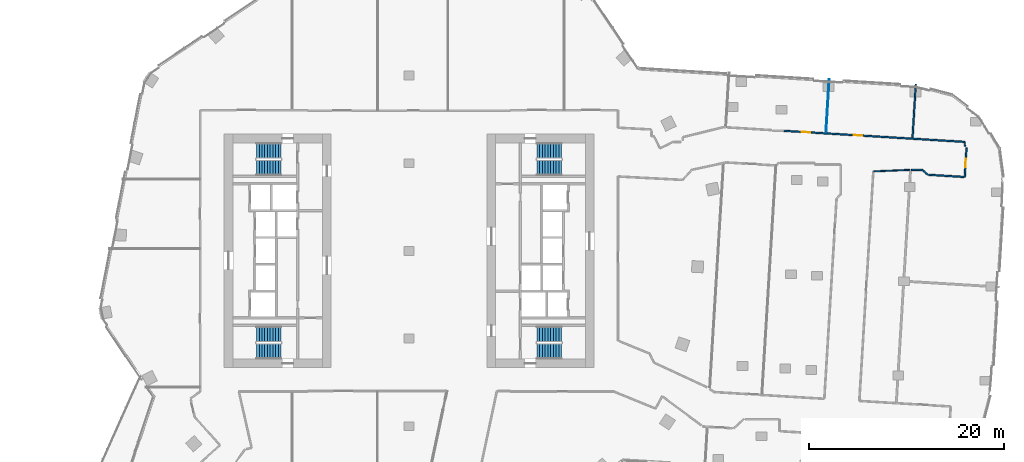
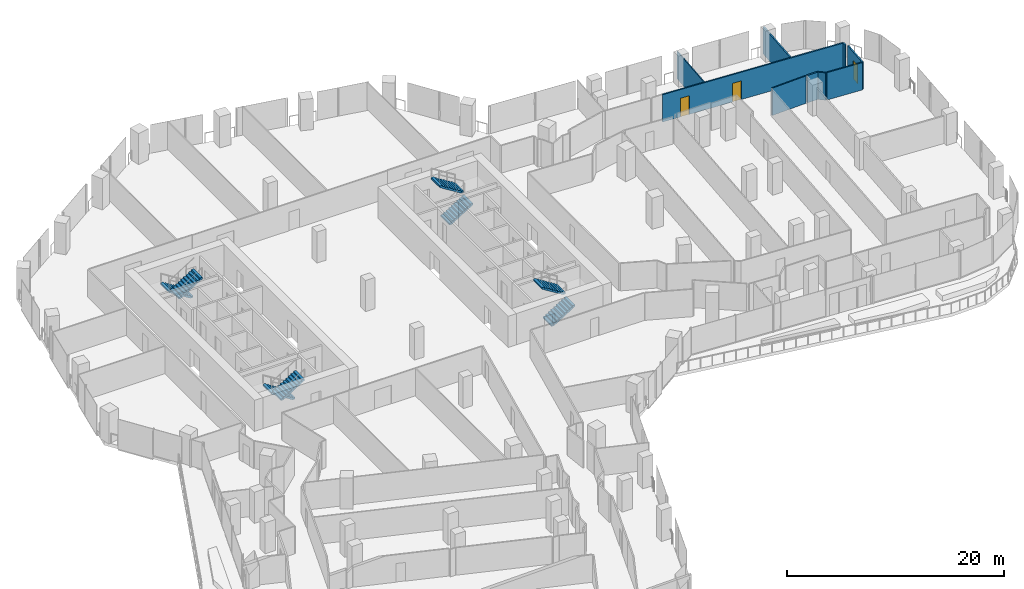
# One storey, part 28 of 34: 9 walls, 8 stair flights, 3 doors, 3 openings, 4 elements without a shape of their own.
"""IFC4 building model written with IfcOpenShell, lengths in metres."""

from ifc_helpers import new_model, si_unit, direction, frame, frame_2d, origin, place, context, subcontext, project, spatial, polyline, rectangle, outline, extrude, material, layer, layer_set, type_object, element, fill, aggregate, save


model = new_model("IFC4")

# Units and contexts
model_context = context("Model", 3, precision=1e-05, world=origin(), true_north=direction((0.0, 1.0)))
body_context = subcontext(model_context, "Body", "Model", "MODEL_VIEW")
ifc_project = project(units=[si_unit("LENGTHUNIT", "METRE"), si_unit("AREAUNIT", "SQUARE_METRE"), si_unit("VOLUMEUNIT", "CUBIC_METRE"), si_unit("PLANEANGLEUNIT", "RADIAN"), si_unit("MASSUNIT", "GRAM", prefix="KILO")], contexts=[model_context])

# Site, building, storey
site_placement = place(None, origin())
site = spatial("IfcSite", under=ifc_project, at=site_placement, CompositionType="ELEMENT")
building_placement = place(site_placement, origin())
building = spatial("IfcBuilding", under=site, at=building_placement, Name="Orlundy Tower", CompositionType="ELEMENT")
storey_placement = place(building_placement, frame((0.0, 0.0, 145.60009765625)))
storey = spatial("IfcBuildingStorey", under=building, at=storey_placement, Name="L37", CompositionType="ELEMENT", Elevation=145.60009765625)

# Walls
ifc_material_1 = material(Name="Gypsum board partition")
ifc_layer_1 = layer(ifc_material_1, 0.10009765625)
ifc_layer_set_1 = layer_set([ifc_layer_1], Name="Floor partition 100")
wall_type_1 = type_object("IfcWallType", Name="Floor partition 100", PredefinedType="PARTITIONING", material=ifc_layer_set_1)
wall_1_placement = place(storey_placement, frame((42.821044921875, 12.139892578125, 0.0), z_axis=(0.0, 0.0, 1.0), x_axis=(0.060877083992, 0.998145270311, 0.0)))
element("IfcWall", 1, at=wall_1_placement, inside=storey, type_object=wall_type_1, Name="wall-int-L37-121", PredefinedType="PARTITIONING", context=body_context, shape_type="SweptSolid", body=[
    extrude(rectangle(XDim=5.518310546875, YDim=0.10009765625, at=frame_2d((2.75927734375, 0.0))), origin(), (0.0, 0.0, 1.0), 3.079833984375),
])
ifc_material_2 = material(Name="Gypsum board partition, double layer")
ifc_layer_2 = layer(ifc_material_2, 0.125)
ifc_layer_set_2 = layer_set([ifc_layer_2], Name="Floor partition 125")
wall_type_2 = type_object("IfcWallType", Name="Floor partition 125", PredefinedType="PARTITIONING", material=ifc_layer_set_2)
wall_2_placement = place(storey_placement, frame((47.74609375, 8.1630859375, 0.0), z_axis=(0.0, 0.0, 1.0), x_axis=(0.999092785442, 0.042586454162, 0.0)))
element("IfcWall", 2, at=wall_2_placement, inside=storey, type_object=wall_type_2, Name="wall-int-L37-078", PredefinedType="PARTITIONING", context=body_context, shape_type="SweptSolid", body=[
    extrude(rectangle(XDim=3.686279296875, YDim=0.125, at=frame_2d((1.84326171875, 0.0))), origin(), (0.0, 0.0, 1.0), 3.079833984375),
])
ifc_material_3 = material(Name="Blockwork shaft wall", Category="masonry")
ifc_layer_3 = layer(ifc_material_3, 0.14990234375)
ifc_layer_set_3 = layer_set([ifc_layer_3], Name="Floor shaft wall 150")
wall_type_3 = type_object("IfcWallType", Name="Floor shaft wall 150", PredefinedType="PARTITIONING", material=ifc_layer_set_3)
wall_3_placement = place(storey_placement, frame((57.071044921875, 11.193115234375, 0.0), z_axis=(0.0, 0.0, 1.0), x_axis=(0.006794860122, -0.999976914671, 0.0)))
element("IfcWall", 3, at=wall_3_placement, inside=storey, type_object=wall_type_3, Name="wall-int-L37-001", PredefinedType="PARTITIONING", context=body_context, shape_type="SweptSolid", body=[
    extrude(rectangle(XDim=0.43115234375, YDim=0.14990234375, at=frame_2d((0.215576171875, 0.0))), origin(), (0.0, 0.0, 1.0), 3.079833984375),
])
wall_4_placement = place(storey_placement, frame((53.35595703125, 7.81298828125, 0.0), z_axis=(0.0, 0.0, 1.0), x_axis=(0.998145758493, -0.060869079194, 0.0)))
element("IfcWall", 4, at=wall_4_placement, inside=storey, type_object=wall_type_3, Name="wall-int-L37-041", PredefinedType="PARTITIONING", context=body_context, shape_type="SweptSolid", body=[
    extrude(rectangle(XDim=3.64599609375, YDim=0.14990234375, at=frame_2d((1.822998046875, 0.0))), origin(), (0.0, 0.0, 1.0), 3.079833984375),
])

# Wall, openings, doors
wall_5_placement = place(storey_placement, frame((38.468994140625, 12.3310546875, 0.0), z_axis=(0.0, 0.0, 1.0), x_axis=(0.998133984111, -0.061061851948, 0.0)))
wall_5 = element("IfcWall", 5, at=wall_5_placement, inside=storey, type_object=wall_type_3, Name="wall-int-L37-043", PredefinedType="PARTITIONING", context=body_context, shape_type="SweptSolid", body=[
    extrude(rectangle(XDim=18.6357421875, YDim=0.14990234375, at=frame_2d((9.31787109375, 0.0))), origin(), (0.0, 0.0, 1.0), 3.079833984375),
])
opening_1_placement = place(wall_5_placement, frame((1.85009765625, 0.0, 0.0)))
opening_1 = element("IfcOpeningElement", 6, at=opening_1_placement, cuts=wall_5, Name="Opening 28101", PredefinedType="OPENING", context=body_context, shape_type="SweptSolid", body=[
    extrude(rectangle(XDim=0.89990234375, YDim=2.10009765625, at=frame_2d((0.449951171875, 1.050048828125))), frame((0.0, 0.0849609375, 0.0), z_axis=(0.0, -1.0, 0.0), x_axis=(1.0, 0.0, 0.0)), (0.0, 0.0, 1.0), 0.169921875),
])
opening_2_placement = place(wall_5_placement, frame((7.201904296875, 0.0, 0.0)))
opening_2 = element("IfcOpeningElement", 7, at=opening_2_placement, cuts=wall_5, Name="Opening 28102", PredefinedType="OPENING", context=body_context, shape_type="SweptSolid", body=[
    extrude(rectangle(XDim=0.89990234375, YDim=2.10009765625, at=frame_2d((0.449951171875, 1.050048828125))), frame((0.0, 0.0849609375, 0.0), z_axis=(0.0, -1.0, 0.0), x_axis=(1.0, 0.0, 0.0)), (0.0, 0.0, 1.0), 0.169921875),
])
ifc_material_4 = material(Name="Timber door leaf", Category="wood")
door_type = type_object("IfcDoorType", Name="Floor door single 900 FD60", OperationType="NOTDEFINED", PredefinedType="DOOR", material=ifc_material_4)
door_1_placement = place(opening_1_placement, origin())
door_1 = element("IfcDoor", 8, at=door_1_placement, inside=storey, type_object=door_type, Name="Door 28101", OperationType="SINGLE_SWING_LEFT", OverallHeight=2.10009765625, OverallWidth=0.89990234375, PredefinedType="DOOR", context=body_context, shape_type="SweptSolid", body=[
    extrude(rectangle(XDim=0.89990234375, YDim=2.10009765625, at=frame_2d((0.449951171875, 1.050048828125))), frame((0.0, 0.02490234375, 0.0), z_axis=(0.0, -1.0, 0.0), x_axis=(1.0, 0.0, 0.0)), (0.0, 0.0, 1.0), 0.050048828125),
])
fill(opening_1, door_1)
door_2_placement = place(opening_2_placement, origin())
door_2 = element("IfcDoor", 9, at=door_2_placement, inside=storey, type_object=door_type, Name="Door 28102", OperationType="SINGLE_SWING_LEFT", OverallHeight=2.10009765625, OverallWidth=0.89990234375, PredefinedType="DOOR", context=body_context, shape_type="SweptSolid", body=[
    extrude(rectangle(XDim=0.89990234375, YDim=2.10009765625, at=frame_2d((0.449951171875, 1.050048828125))), frame((0.0, 0.02490234375, 0.0), z_axis=(0.0, -1.0, 0.0), x_axis=(1.0, 0.0, 0.0)), (0.0, 0.0, 1.0), 0.050048828125),
])
fill(opening_2, door_2)

# Wall
wall_6_placement = place(storey_placement, frame((51.5791015625, 8.322998046875, 0.0), z_axis=(0.0, 0.0, 1.0), x_axis=(1.0, 0.0, 0.0)))
element("IfcWall", 10, at=wall_6_placement, inside=storey, type_object=wall_type_3, Name="wall-int-L37-070", PredefinedType="PARTITIONING", context=body_context, shape_type="SweptSolid", body=[
    extrude(rectangle(XDim=1.120849609375, YDim=0.14990234375, at=frame_2d((0.560546875, 0.0))), origin(), (0.0, 0.0, 1.0), 3.079833984375),
])

# Wall, opening, door
wall_7_placement = place(storey_placement, frame((57.2529296875, 10.573974609375, 0.0), z_axis=(0.0, 0.0, 1.0), x_axis=(-0.061083533007, -0.998132657514, 0.0)))
wall_7 = element("IfcWall", 11, at=wall_7_placement, inside=storey, type_object=wall_type_3, Name="wall-int-L37-114", PredefinedType="PARTITIONING", context=body_context, shape_type="SweptSolid", body=[
    extrude(rectangle(XDim=2.99365234375, YDim=0.14990234375, at=frame_2d((1.496826171875, 0.0))), origin(), (0.0, 0.0, 1.0), 3.079833984375),
])
opening_3_placement = place(wall_7_placement, frame((1.10009765625, 0.0, 0.0)))
opening_3 = element("IfcOpeningElement", 12, at=opening_3_placement, cuts=wall_7, Name="Opening 28107", PredefinedType="OPENING", context=body_context, shape_type="SweptSolid", body=[
    extrude(rectangle(XDim=0.89990234375, YDim=2.10009765625, at=frame_2d((0.449951171875, 1.050048828125))), frame((0.0, 0.0849609375, 0.0), z_axis=(0.0, -1.0, 0.0), x_axis=(1.0, 0.0, 0.0)), (0.0, 0.0, 1.0), 0.169921875),
])
door_3_placement = place(opening_3_placement, origin())
door_3 = element("IfcDoor", 13, at=door_3_placement, inside=storey, type_object=door_type, Name="Door 28107", OperationType="SINGLE_SWING_RIGHT", OverallHeight=2.10009765625, OverallWidth=0.89990234375, PredefinedType="DOOR", context=body_context, shape_type="SweptSolid", body=[
    extrude(rectangle(XDim=0.89990234375, YDim=2.10009765625, at=frame_2d((0.449951171875, 1.050048828125))), frame((0.0, 0.02490234375, 0.0), z_axis=(0.0, -1.0, 0.0), x_axis=(1.0, 0.0, 0.0)), (0.0, 0.0, 1.0), 0.050048828125),
])
fill(opening_3, door_3)

# Walls
wall_8_placement = place(storey_placement, frame((51.705078125, 11.596923828125, 0.0), z_axis=(0.0, 0.0, 1.0), x_axis=(0.060877083992, 0.998145270311, 0.0)))
element("IfcWall", 14, at=wall_8_placement, inside=storey, type_object=wall_type_3, Name="wall-int-L37-117", PredefinedType="PARTITIONING", context=body_context, shape_type="SweptSolid", body=[
    extrude(rectangle(XDim=5.518310546875, YDim=0.14990234375, at=frame_2d((2.75927734375, 0.0))), origin(), (0.0, 0.0, 1.0), 3.079833984375),
])
wall_9_placement = place(storey_placement, frame((53.280029296875, 7.818115234375, 0.0), z_axis=(0.0, 0.0, 1.0), x_axis=(-0.754304719431, 0.656524478023, 0.0)))
element("IfcWall", 15, at=wall_9_placement, inside=storey, type_object=wall_type_3, Name="wall-int-L37-129", PredefinedType="PARTITIONING", context=body_context, shape_type="SweptSolid", body=[
    extrude(rectangle(XDim=0.76904296875, YDim=0.14990234375, at=frame_2d((0.384521484375, 0.0))), origin(), (0.0, 0.0, 1.0), 3.079833984375),
])

# Stair, stair flights
ifc_material_5 = material(Name="Concrete C50/60", Category="concrete")
stair_type = type_object("IfcStairType", Name="Exit Stair 20 risers", PredefinedType="HALF_TURN_STAIR", material=ifc_material_5)
stair_1_placement = place(storey_placement, origin())
stair_1 = element("IfcStair", 16, at=stair_1_placement, inside=storey, type_object=stair_type, Name="L37 Exit Stair ST-W1", PredefinedType="HALF_TURN_STAIR")
ifc_material_6 = material(Name="Concrete C50/60", Category="concrete")
stair_flight_type = type_object("IfcStairFlightType", Name="Stair Flight 10 risers", PredefinedType="STRAIGHT", material=ifc_material_6)
stair_flight_1_placement = place(storey_placement, frame((-13.139892578125, 10.300048828125, 0.0), z_axis=(0.0, 0.0, 1.0), x_axis=(-1.0, 0.0, 0.0)))
stair_flight_1 = element("IfcStairFlight", 17, at=stair_flight_1_placement, type_object=stair_flight_type, Name="ST-W1 flight 1", NumberOfRisers=10, NumberOfTreads=9, PredefinedType="STRAIGHT", RiserHeight=0.175, TreadLength=0.28, context=body_context, shape_type="SweptSolid", body=[
    extrude(outline(polyline([(0.0, 0.0), (0.0, 0.175048828125), (0.280029296875, 0.175048828125), (0.280029296875, 0.35009765625), (0.56005859375, 0.35009765625), (0.56005859375, 0.52490234375), (0.840087890625, 0.52490234375), (0.840087890625, 0.699951171875), (1.1201171875, 0.699951171875), (1.1201171875, 0.875), (1.39990234375, 0.875), (1.39990234375, 1.050048828125), (1.679931640625, 1.050048828125), (1.679931640625, 1.22509765625), (1.9599609375, 1.22509765625), (1.9599609375, 1.39990234375), (2.239990234375, 1.39990234375), (2.239990234375, 1.574951171875), (2.52001953125, 1.574951171875), (2.52001953125, 1.75), (2.52001953125, 1.398193359375), (0.28271484375, 0.0), (0.0, 0.0)])), frame((0.0, 0.800048828125, 0.0), z_axis=(0.0, -1.0, 0.0), x_axis=(1.0, 0.0, 0.0)), (0.0, 0.0, 1.0), 1.60009765625),
])
stair_flight_2_placement = place(storey_placement, frame((-15.659912109375, 8.550048828125, 1.75), z_axis=(0.0, 0.0, 1.0), x_axis=(1.0, 0.0, 0.0)))
stair_flight_2 = element("IfcStairFlight", 18, at=stair_flight_2_placement, type_object=stair_flight_type, Name="ST-W1 flight 2", NumberOfRisers=10, NumberOfTreads=9, PredefinedType="STRAIGHT", RiserHeight=0.175, TreadLength=0.28, context=body_context, shape_type="SweptSolid", body=[
    extrude(outline(polyline([(0.0, 0.0), (0.0, 0.175048828125), (0.280029296875, 0.175048828125), (0.280029296875, 0.35009765625), (0.56005859375, 0.35009765625), (0.56005859375, 0.52490234375), (0.840087890625, 0.52490234375), (0.840087890625, 0.699951171875), (1.1201171875, 0.699951171875), (1.1201171875, 0.875), (1.39990234375, 0.875), (1.39990234375, 1.050048828125), (1.679931640625, 1.050048828125), (1.679931640625, 1.22509765625), (1.9599609375, 1.22509765625), (1.9599609375, 1.39990234375), (2.239990234375, 1.39990234375), (2.239990234375, 1.574951171875), (2.52001953125, 1.574951171875), (2.52001953125, 1.75), (2.52001953125, 1.398193359375), (0.28271484375, 0.0), (0.0, 0.0)])), frame((0.0, 0.800048828125, 0.0), z_axis=(0.0, -1.0, 0.0), x_axis=(1.0, 0.0, 0.0)), (0.0, 0.0, 1.0), 1.60009765625),
])
aggregate(stair_1, [stair_flight_1, stair_flight_2])

stair_2_placement = place(storey_placement, origin())
stair_2 = element("IfcStair", 19, at=stair_2_placement, inside=storey, type_object=stair_type, Name="L37 Exit Stair ST-W2", PredefinedType="HALF_TURN_STAIR")
stair_flight_3_placement = place(storey_placement, frame((-13.139892578125, -8.550048828125, 0.0), z_axis=(0.0, 0.0, 1.0), x_axis=(-1.0, 0.0, 0.0)))
stair_flight_3 = element("IfcStairFlight", 20, at=stair_flight_3_placement, type_object=stair_flight_type, Name="ST-W2 flight 1", NumberOfRisers=10, NumberOfTreads=9, PredefinedType="STRAIGHT", RiserHeight=0.175, TreadLength=0.28, context=body_context, shape_type="SweptSolid", body=[
    extrude(outline(polyline([(0.0, 0.0), (0.0, 0.175048828125), (0.280029296875, 0.175048828125), (0.280029296875, 0.35009765625), (0.56005859375, 0.35009765625), (0.56005859375, 0.52490234375), (0.840087890625, 0.52490234375), (0.840087890625, 0.699951171875), (1.1201171875, 0.699951171875), (1.1201171875, 0.875), (1.39990234375, 0.875), (1.39990234375, 1.050048828125), (1.679931640625, 1.050048828125), (1.679931640625, 1.22509765625), (1.9599609375, 1.22509765625), (1.9599609375, 1.39990234375), (2.239990234375, 1.39990234375), (2.239990234375, 1.574951171875), (2.52001953125, 1.574951171875), (2.52001953125, 1.75), (2.52001953125, 1.398193359375), (0.28271484375, 0.0), (0.0, 0.0)])), frame((0.0, 0.800048828125, 0.0), z_axis=(0.0, -1.0, 0.0), x_axis=(1.0, 0.0, 0.0)), (0.0, 0.0, 1.0), 1.60009765625),
])
stair_flight_4_placement = place(storey_placement, frame((-15.659912109375, -10.300048828125, 1.75), z_axis=(0.0, 0.0, 1.0), x_axis=(1.0, 0.0, 0.0)))
stair_flight_4 = element("IfcStairFlight", 21, at=stair_flight_4_placement, type_object=stair_flight_type, Name="ST-W2 flight 2", NumberOfRisers=10, NumberOfTreads=9, PredefinedType="STRAIGHT", RiserHeight=0.175, TreadLength=0.28, context=body_context, shape_type="SweptSolid", body=[
    extrude(outline(polyline([(0.0, 0.0), (0.0, 0.175048828125), (0.280029296875, 0.175048828125), (0.280029296875, 0.35009765625), (0.56005859375, 0.35009765625), (0.56005859375, 0.52490234375), (0.840087890625, 0.52490234375), (0.840087890625, 0.699951171875), (1.1201171875, 0.699951171875), (1.1201171875, 0.875), (1.39990234375, 0.875), (1.39990234375, 1.050048828125), (1.679931640625, 1.050048828125), (1.679931640625, 1.22509765625), (1.9599609375, 1.22509765625), (1.9599609375, 1.39990234375), (2.239990234375, 1.39990234375), (2.239990234375, 1.574951171875), (2.52001953125, 1.574951171875), (2.52001953125, 1.75), (2.52001953125, 1.398193359375), (0.28271484375, 0.0), (0.0, 0.0)])), frame((0.0, 0.800048828125, 0.0), z_axis=(0.0, -1.0, 0.0), x_axis=(1.0, 0.0, 0.0)), (0.0, 0.0, 1.0), 1.60009765625),
])
aggregate(stair_2, [stair_flight_3, stair_flight_4])

stair_3_placement = place(storey_placement, origin())
stair_3 = element("IfcStair", 22, at=stair_3_placement, inside=storey, type_object=stair_type, Name="L37 Exit Stair ST-E1", PredefinedType="HALF_TURN_STAIR")
stair_flight_5_placement = place(storey_placement, frame((13.139892578125, -10.300048828125, 0.0), z_axis=(0.0, 0.0, 1.0), x_axis=(1.0, 0.0, 0.0)))
stair_flight_5 = element("IfcStairFlight", 23, at=stair_flight_5_placement, type_object=stair_flight_type, Name="ST-E1 flight 1", NumberOfRisers=10, NumberOfTreads=9, PredefinedType="STRAIGHT", RiserHeight=0.175, TreadLength=0.28, context=body_context, shape_type="SweptSolid", body=[
    extrude(outline(polyline([(0.0, 0.0), (0.0, 0.175048828125), (0.280029296875, 0.175048828125), (0.280029296875, 0.35009765625), (0.56005859375, 0.35009765625), (0.56005859375, 0.52490234375), (0.840087890625, 0.52490234375), (0.840087890625, 0.699951171875), (1.1201171875, 0.699951171875), (1.1201171875, 0.875), (1.39990234375, 0.875), (1.39990234375, 1.050048828125), (1.679931640625, 1.050048828125), (1.679931640625, 1.22509765625), (1.9599609375, 1.22509765625), (1.9599609375, 1.39990234375), (2.239990234375, 1.39990234375), (2.239990234375, 1.574951171875), (2.52001953125, 1.574951171875), (2.52001953125, 1.75), (2.52001953125, 1.398193359375), (0.28271484375, 0.0), (0.0, 0.0)])), frame((0.0, 0.800048828125, 0.0), z_axis=(0.0, -1.0, 0.0), x_axis=(1.0, 0.0, 0.0)), (0.0, 0.0, 1.0), 1.60009765625),
])
stair_flight_6_placement = place(storey_placement, frame((15.659912109375, -8.550048828125, 1.75), z_axis=(0.0, 0.0, 1.0), x_axis=(-1.0, 0.0, 0.0)))
stair_flight_6 = element("IfcStairFlight", 24, at=stair_flight_6_placement, type_object=stair_flight_type, Name="ST-E1 flight 2", NumberOfRisers=10, NumberOfTreads=9, PredefinedType="STRAIGHT", RiserHeight=0.175, TreadLength=0.28, context=body_context, shape_type="SweptSolid", body=[
    extrude(outline(polyline([(0.0, 0.0), (0.0, 0.175048828125), (0.280029296875, 0.175048828125), (0.280029296875, 0.35009765625), (0.56005859375, 0.35009765625), (0.56005859375, 0.52490234375), (0.840087890625, 0.52490234375), (0.840087890625, 0.699951171875), (1.1201171875, 0.699951171875), (1.1201171875, 0.875), (1.39990234375, 0.875), (1.39990234375, 1.050048828125), (1.679931640625, 1.050048828125), (1.679931640625, 1.22509765625), (1.9599609375, 1.22509765625), (1.9599609375, 1.39990234375), (2.239990234375, 1.39990234375), (2.239990234375, 1.574951171875), (2.52001953125, 1.574951171875), (2.52001953125, 1.75), (2.52001953125, 1.398193359375), (0.28271484375, 0.0), (0.0, 0.0)])), frame((0.0, 0.800048828125, 0.0), z_axis=(0.0, -1.0, 0.0), x_axis=(1.0, 0.0, 0.0)), (0.0, 0.0, 1.0), 1.60009765625),
])
aggregate(stair_3, [stair_flight_5, stair_flight_6])

stair_4_placement = place(storey_placement, origin())
stair_4 = element("IfcStair", 25, at=stair_4_placement, inside=storey, type_object=stair_type, Name="L37 Exit Stair ST-E2", PredefinedType="HALF_TURN_STAIR")
stair_flight_7_placement = place(storey_placement, frame((13.139892578125, 8.550048828125, 0.0), z_axis=(0.0, 0.0, 1.0), x_axis=(1.0, 0.0, 0.0)))
stair_flight_7 = element("IfcStairFlight", 26, at=stair_flight_7_placement, type_object=stair_flight_type, Name="ST-E2 flight 1", NumberOfRisers=10, NumberOfTreads=9, PredefinedType="STRAIGHT", RiserHeight=0.175, TreadLength=0.28, context=body_context, shape_type="SweptSolid", body=[
    extrude(outline(polyline([(0.0, 0.0), (0.0, 0.175048828125), (0.280029296875, 0.175048828125), (0.280029296875, 0.35009765625), (0.56005859375, 0.35009765625), (0.56005859375, 0.52490234375), (0.840087890625, 0.52490234375), (0.840087890625, 0.699951171875), (1.1201171875, 0.699951171875), (1.1201171875, 0.875), (1.39990234375, 0.875), (1.39990234375, 1.050048828125), (1.679931640625, 1.050048828125), (1.679931640625, 1.22509765625), (1.9599609375, 1.22509765625), (1.9599609375, 1.39990234375), (2.239990234375, 1.39990234375), (2.239990234375, 1.574951171875), (2.52001953125, 1.574951171875), (2.52001953125, 1.75), (2.52001953125, 1.398193359375), (0.28271484375, 0.0), (0.0, 0.0)])), frame((0.0, 0.800048828125, 0.0), z_axis=(0.0, -1.0, 0.0), x_axis=(1.0, 0.0, 0.0)), (0.0, 0.0, 1.0), 1.60009765625),
])
stair_flight_8_placement = place(storey_placement, frame((15.659912109375, 10.300048828125, 1.75), z_axis=(0.0, 0.0, 1.0), x_axis=(-1.0, 0.0, 0.0)))
stair_flight_8 = element("IfcStairFlight", 27, at=stair_flight_8_placement, type_object=stair_flight_type, Name="ST-E2 flight 2", NumberOfRisers=10, NumberOfTreads=9, PredefinedType="STRAIGHT", RiserHeight=0.175, TreadLength=0.28, context=body_context, shape_type="SweptSolid", body=[
    extrude(outline(polyline([(0.0, 0.0), (0.0, 0.175048828125), (0.280029296875, 0.175048828125), (0.280029296875, 0.35009765625), (0.56005859375, 0.35009765625), (0.56005859375, 0.52490234375), (0.840087890625, 0.52490234375), (0.840087890625, 0.699951171875), (1.1201171875, 0.699951171875), (1.1201171875, 0.875), (1.39990234375, 0.875), (1.39990234375, 1.050048828125), (1.679931640625, 1.050048828125), (1.679931640625, 1.22509765625), (1.9599609375, 1.22509765625), (1.9599609375, 1.39990234375), (2.239990234375, 1.39990234375), (2.239990234375, 1.574951171875), (2.52001953125, 1.574951171875), (2.52001953125, 1.75), (2.52001953125, 1.398193359375), (0.28271484375, 0.0), (0.0, 0.0)])), frame((0.0, 0.800048828125, 0.0), z_axis=(0.0, -1.0, 0.0), x_axis=(1.0, 0.0, 0.0)), (0.0, 0.0, 1.0), 1.60009765625),
])
aggregate(stair_4, [stair_flight_7, stair_flight_8])

save(model, "model.ifc")
